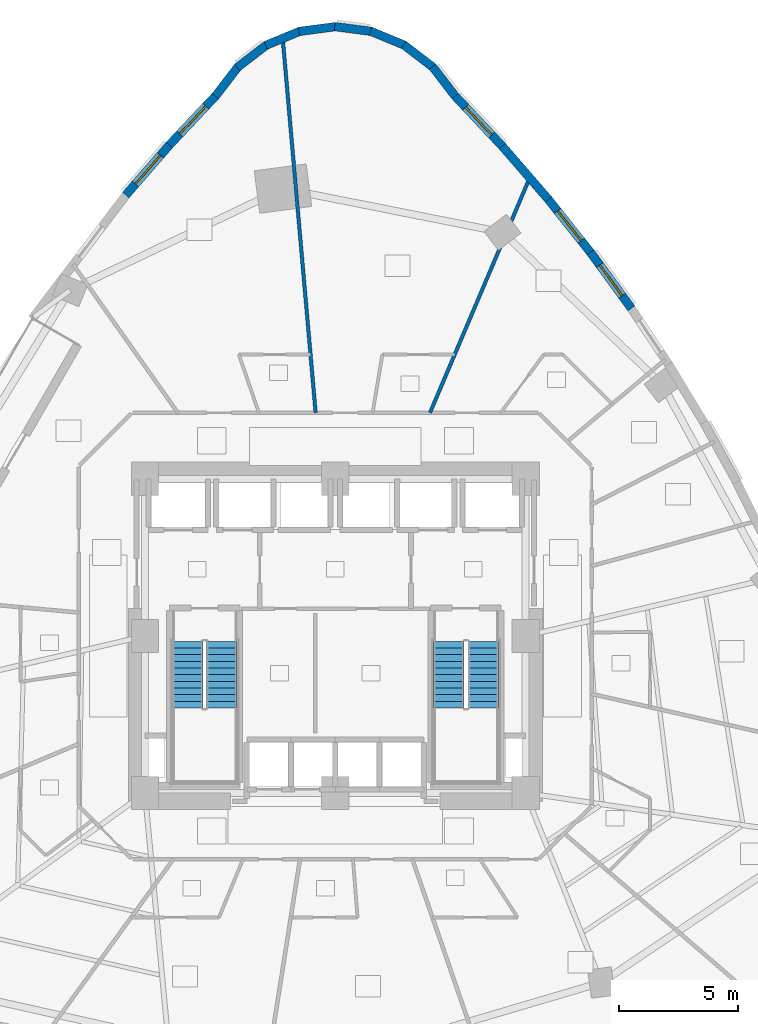
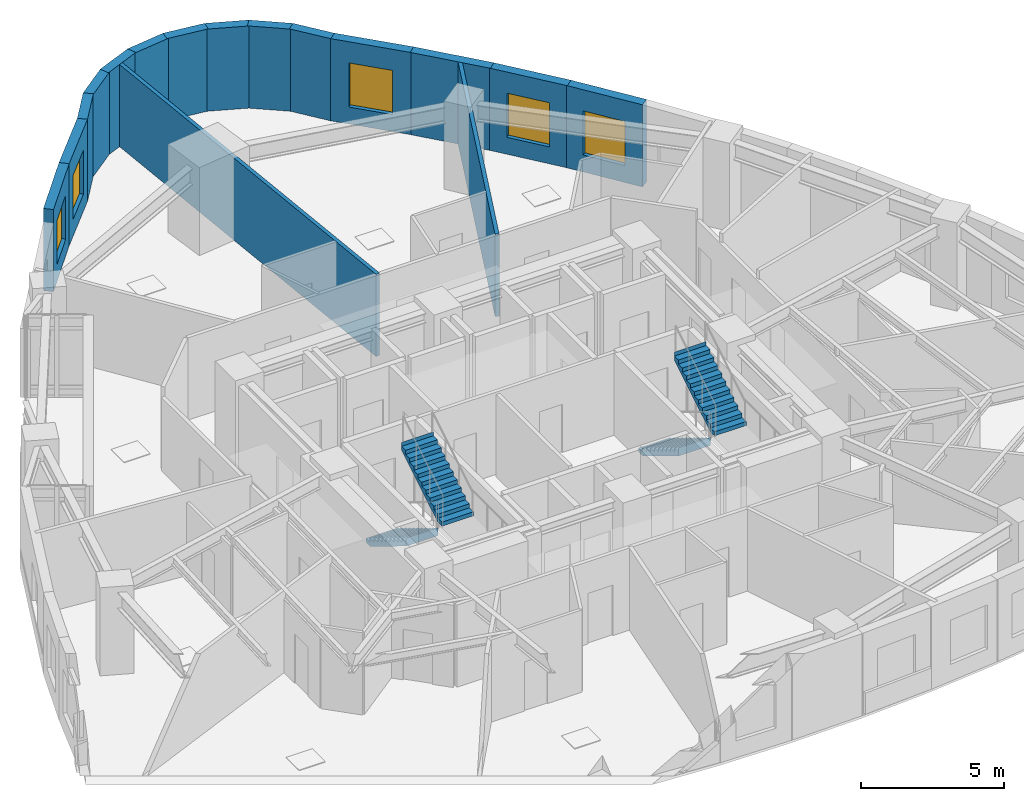
# One storey, part 9 of 12: 16 walls, 5 windows, 4 stair flights, 5 openings, 2 elements without a shape of their own.
"""IFC4 building model written with IfcOpenShell, lengths in metres."""

from ifc_helpers import new_model, si_unit, direction, frame, frame_2d, origin, place, context, subcontext, project, spatial, polyline, rectangle, outline, extrude, material, layer, layer_set, type_object, element, fill, aggregate, save


model = new_model("IFC4")

# Units and contexts
model_context = context("Model", 3, precision=1e-05, world=origin(), true_north=direction((0.0, 1.0)))
body_context = subcontext(model_context, "Body", "Model", "MODEL_VIEW")
ifc_project = project(units=[si_unit("LENGTHUNIT", "METRE"), si_unit("AREAUNIT", "SQUARE_METRE"), si_unit("VOLUMEUNIT", "CUBIC_METRE"), si_unit("PLANEANGLEUNIT", "RADIAN"), si_unit("MASSUNIT", "GRAM", prefix="KILO")], contexts=[model_context])

# Site, building, storey
site_placement = place(None, origin())
site = spatial("IfcSite", under=ifc_project, at=site_placement, CompositionType="ELEMENT")
building_placement = place(site_placement, origin())
building = spatial("IfcBuilding", under=site, at=building_placement, Name="Ndelora Gate Hotel", CompositionType="ELEMENT")
storey_placement = place(building_placement, frame((0.0, 0.0, 38.0)))
storey = spatial("IfcBuildingStorey", under=building, at=storey_placement, Name="L08", CompositionType="ELEMENT", Elevation=38.0)

# Walls
ifc_material_1 = material(Name="Clay Brick Masonry", Category="masonry")
ifc_layer_1 = layer(ifc_material_1, 0.360107421875)
ifc_layer_set_1 = layer_set([ifc_layer_1], Name="Clay Brick Masonry")
wall_type_1 = type_object("IfcWallType", Name="WL-BRICK-360", PredefinedType="SOLIDWALL", material=ifc_layer_set_1)
for number, where, z_axis, x_axis, name in (
    (1, (4.0859375, 23.928955078125, 0.0), (0.0, 0.0, 1.0), (0.608729688799, -0.793377694402, 0.0), "L08 Tower Brick Pier-and-Spandrel Wall TWR-1"),
    (2, (2.880126953125, 24.845947265625, 0.0), (0.0, 0.0, 1.0), (0.793377694402, -0.608729688799, 0.0), "L08 Tower Brick Pier-and-Spandrel Wall TWR-2"),
    (3, (1.47802734375, 25.419921875, 0.0), (0.0, 0.0, 1.0), (0.923864636245, -0.382719393153, 0.0), "L08 Tower Brick Pier-and-Spandrel Wall TWR-3"),
    (4, (-0.02490234375, 25.611083984375, 0.0), (0.0, 0.0, 1.0), (0.991450044922, -0.130486813217, 0.0), "L08 Tower Brick Pier-and-Spandrel Wall TWR-4"),
    (5, (-1.52587890625, 25.406982421875, 0.0), (0.0, 0.0, 1.0), (0.991450044922, 0.130486813217, 0.0), "L08 Tower Brick Pier-and-Spandrel Wall TWR-5"),
    (6, (-2.923095703125, 24.8212890625, 0.0), (0.0, 0.0, 1.0), (0.923864636245, 0.382719393153, 0.0), "L08 Tower Brick Pier-and-Spandrel Wall TWR-6"),
    (7, (-4.12109375, 23.893798828125, 0.0), (0.0, 0.0, 1.0), (0.793377694402, 0.608729688799, 0.0), "L08 Tower Brick Pier-and-Spandrel Wall TWR-7"),
    (8, (-5.0380859375, 22.68798828125, 0.0), (0.0, 0.0, 1.0), (0.608729688799, 0.793377694402, 0.0), "L08 Tower Brick Pier-and-Spandrel Wall TWR-8"),
):
    element("IfcWall", number, at=place(storey_placement, frame(where, z_axis=z_axis, x_axis=x_axis)), inside=storey, type_object=wall_type_1, Name=name, PredefinedType="SOLIDWALL", context=body_context, shape_type="SweptSolid", body=[
        extrude(rectangle(XDim=1.564208984375, YDim=0.360107421875, at=frame_2d((0.7822265625, 0.0))), origin(), (0.0, 0.0, 1.0), 3.5),
    ])

# Wall, opening, window
wall_1_placement = place(storey_placement, frame((-6.973388671875, 20.63671875, 0.0), z_axis=(0.0, 0.0, 1.0), x_axis=(0.685563685899, 0.728012659626, 0.0)))
wall_1 = element("IfcWall", 9, at=wall_1_placement, inside=storey, type_object=wall_type_1, Name="L08 Tower Brick Pier-and-Spandrel Wall TWR-9", PredefinedType="SOLIDWALL", context=body_context, shape_type="SweptSolid", body=[
    extrude(rectangle(XDim=2.869873046875, YDim=0.360107421875, at=frame_2d((1.43505859375, 0.0))), origin(), (0.0, 0.0, 1.0), 3.5),
])
opening_1_placement = place(wall_1_placement, frame((0.635009765625, 0.0, 0.719970703125)))
opening_1 = element("IfcOpeningElement", 10, at=opening_1_placement, cuts=wall_1, Name="Opening W03", PredefinedType="OPENING", context=body_context, shape_type="SweptSolid", body=[
    extrude(rectangle(XDim=1.60009765625, YDim=1.8798828125, at=frame_2d((0.800048828125, 0.93994140625))), frame((0.0, 0.18994140625, 0.0), z_axis=(0.0, -1.0, 0.0), x_axis=(1.0, 0.0, 0.0)), (0.0, 0.0, 1.0), 0.380126953125),
])
ifc_material_2 = material(Name="Insulated Low-E Double Glazing in Bronze Aluminium Frame", Category="aluminium")
window_type_1 = type_object("IfcWindowType", Name="WN-CORN-2100", PartitioningType="SINGLE_PANEL", PredefinedType="WINDOW", material=ifc_material_2)
window_1_placement = place(opening_1_placement, origin())
window_1 = element("IfcWindow", 11, at=window_1_placement, inside=storey, type_object=window_type_1, Name="L08 Deep-Set Brick-Pier Window W03", OverallHeight=1.8798828125, OverallWidth=1.60009765625, PartitioningType="SINGLE_PANEL", PredefinedType="WINDOW", context=body_context, shape_type="SweptSolid", body=[
    extrude(rectangle(XDim=1.60009765625, YDim=1.8798828125, at=frame_2d((0.800048828125, 0.93994140625))), frame((0.0, 0.030029296875, 0.0), z_axis=(0.0, -1.0, 0.0), x_axis=(1.0, 0.0, 0.0)), (0.0, 0.0, 1.0), 0.06005859375),
])
fill(opening_1, window_1)

wall_2_placement = place(storey_placement, frame((-8.808349609375, 18.5263671875, 0.0), z_axis=(0.0, 0.0, 1.0), x_axis=(0.656480194697, 0.754343260042, 0.0)))
wall_2 = element("IfcWall", 12, at=wall_2_placement, inside=storey, type_object=wall_type_1, Name="L08 Tower Brick Pier-and-Spandrel Wall TWR-10", PredefinedType="SOLIDWALL", context=body_context, shape_type="SweptSolid", body=[
    extrude(rectangle(XDim=2.846435546875, YDim=0.360107421875, at=frame_2d((1.42333984375, 0.0))), origin(), (0.0, 0.0, 1.0), 3.5),
])
opening_2_placement = place(wall_2_placement, frame((0.623291015625, 0.0, 0.719970703125)))
opening_2 = element("IfcOpeningElement", 13, at=opening_2_placement, cuts=wall_2, Name="Opening W01", PredefinedType="OPENING", context=body_context, shape_type="SweptSolid", body=[
    extrude(rectangle(XDim=1.60009765625, YDim=1.8798828125, at=frame_2d((0.800048828125, 0.93994140625))), frame((0.0, 0.18994140625, 0.0), z_axis=(0.0, -1.0, 0.0), x_axis=(1.0, 0.0, 0.0)), (0.0, 0.0, 1.0), 0.380126953125),
])
window_type_2 = type_object("IfcWindowType", Name="WN-DEEP-1600", PartitioningType="SINGLE_PANEL", PredefinedType="WINDOW", material=ifc_material_2)
window_2_placement = place(opening_2_placement, origin())
window_2 = element("IfcWindow", 14, at=window_2_placement, inside=storey, type_object=window_type_2, Name="L08 Deep-Set Brick-Pier Window W01", OverallHeight=1.8798828125, OverallWidth=1.60009765625, PartitioningType="SINGLE_PANEL", PredefinedType="WINDOW", context=body_context, shape_type="SweptSolid", body=[
    extrude(rectangle(XDim=1.60009765625, YDim=1.8798828125, at=frame_2d((0.800048828125, 0.93994140625))), frame((0.0, 0.030029296875, 0.0), z_axis=(0.0, -1.0, 0.0), x_axis=(1.0, 0.0, 0.0)), (0.0, 0.0, 1.0), 0.06005859375),
])
fill(opening_2, window_2)

wall_3_placement = place(storey_placement, frame((10.7255859375, 16.125, 0.0), z_axis=(0.0, 0.0, 1.0), x_axis=(0.589223239374, -0.807970280507, 0.0)))
wall_3 = element("IfcWall", 15, at=wall_3_placement, inside=storey, type_object=wall_type_1, Name="L08 Tower Brick Pier-and-Spandrel Wall TWR-55", PredefinedType="SOLIDWALL", context=body_context, shape_type="SweptSolid", body=[
    extrude(rectangle(XDim=2.92529296875, YDim=0.360107421875, at=frame_2d((1.462646484375, 0.0))), origin(), (0.0, 0.0, 1.0), 3.5),
])
opening_3_placement = place(wall_3_placement, frame((0.66259765625, 0.0, 0.719970703125)))
opening_3 = element("IfcOpeningElement", 16, at=opening_3_placement, cuts=wall_3, Name="Opening W01", PredefinedType="OPENING", context=body_context, shape_type="SweptSolid", body=[
    extrude(rectangle(XDim=1.60009765625, YDim=1.8798828125, at=frame_2d((0.800048828125, 0.93994140625))), frame((0.0, 0.18994140625, 0.0), z_axis=(0.0, -1.0, 0.0), x_axis=(1.0, 0.0, 0.0)), (0.0, 0.0, 1.0), 0.380126953125),
])
window_3_placement = place(opening_3_placement, origin())
window_3 = element("IfcWindow", 17, at=window_3_placement, inside=storey, type_object=window_type_2, Name="L08 Deep-Set Brick-Pier Window W01", OverallHeight=1.8798828125, OverallWidth=1.60009765625, PartitioningType="SINGLE_PANEL", PredefinedType="WINDOW", context=body_context, shape_type="SweptSolid", body=[
    extrude(rectangle(XDim=1.60009765625, YDim=1.8798828125, at=frame_2d((0.800048828125, 0.93994140625))), frame((0.0, 0.030029296875, 0.0), z_axis=(0.0, -1.0, 0.0), x_axis=(1.0, 0.0, 0.0)), (0.0, 0.0, 1.0), 0.06005859375),
])
fill(opening_3, window_3)

wall_4_placement = place(storey_placement, frame((8.9248046875, 18.38671875, 0.0), z_axis=(0.0, 0.0, 1.0), x_axis=(0.622637946995, -0.782510055502, 0.0)))
wall_4 = element("IfcWall", 18, at=wall_4_placement, inside=storey, type_object=wall_type_1, Name="L08 Tower Brick Pier-and-Spandrel Wall TWR-56", PredefinedType="SOLIDWALL", context=body_context, shape_type="SweptSolid", body=[
    extrude(rectangle(XDim=2.941162109375, YDim=0.360107421875, at=frame_2d((1.470703125, 0.0))), origin(), (0.0, 0.0, 1.0), 3.5),
])
opening_4_placement = place(wall_4_placement, frame((0.67041015625, 0.0, 0.719970703125)))
opening_4 = element("IfcOpeningElement", 19, at=opening_4_placement, cuts=wall_4, Name="Opening W01", PredefinedType="OPENING", context=body_context, shape_type="SweptSolid", body=[
    extrude(rectangle(XDim=1.60009765625, YDim=1.8798828125, at=frame_2d((0.800048828125, 0.93994140625))), frame((0.0, 0.18994140625, 0.0), z_axis=(0.0, -1.0, 0.0), x_axis=(1.0, 0.0, 0.0)), (0.0, 0.0, 1.0), 0.380126953125),
])
window_4_placement = place(opening_4_placement, origin())
window_4 = element("IfcWindow", 20, at=window_4_placement, inside=storey, type_object=window_type_2, Name="L08 Deep-Set Brick-Pier Window W01", OverallHeight=1.8798828125, OverallWidth=1.60009765625, PartitioningType="SINGLE_PANEL", PredefinedType="WINDOW", context=body_context, shape_type="SweptSolid", body=[
    extrude(rectangle(XDim=1.60009765625, YDim=1.8798828125, at=frame_2d((0.800048828125, 0.93994140625))), frame((0.0, 0.030029296875, 0.0), z_axis=(0.0, -1.0, 0.0), x_axis=(1.0, 0.0, 0.0)), (0.0, 0.0, 1.0), 0.06005859375),
])
fill(opening_4, window_4)

# Wall
wall_5_placement = place(storey_placement, frame((7.018310546875, 20.5869140625, 0.0), z_axis=(0.0, 0.0, 1.0), x_axis=(0.654585220283, -0.755988220402, 0.0)))
element("IfcWall", 21, at=wall_5_placement, inside=storey, type_object=wall_type_1, Name="L08 Tower Brick Pier-and-Spandrel Wall TWR-57", PredefinedType="SOLIDWALL", context=body_context, shape_type="SweptSolid", body=[
    extrude(rectangle(XDim=2.96142578125, YDim=0.360107421875, at=frame_2d((1.480712890625, 0.0))), origin(), (0.0, 0.0, 1.0), 3.5),
])

# Wall, opening, window
wall_6_placement = place(storey_placement, frame((5.005859375, 22.72607421875, 0.0), z_axis=(0.0, 0.0, 1.0), x_axis=(0.684946458387, -0.728593404542, 0.0)))
wall_6 = element("IfcWall", 22, at=wall_6_placement, inside=storey, type_object=wall_type_1, Name="L08 Tower Brick Pier-and-Spandrel Wall TWR-58", PredefinedType="SOLIDWALL", context=body_context, shape_type="SweptSolid", body=[
    extrude(rectangle(XDim=2.987060546875, YDim=0.360107421875, at=frame_2d((1.49365234375, 0.0))), origin(), (0.0, 0.0, 1.0), 3.5),
])
opening_5_placement = place(wall_6_placement, frame((0.693603515625, 0.0, 0.719970703125)))
opening_5 = element("IfcOpeningElement", 23, at=opening_5_placement, cuts=wall_6, Name="Opening W01", PredefinedType="OPENING", context=body_context, shape_type="SweptSolid", body=[
    extrude(rectangle(XDim=1.60009765625, YDim=1.8798828125, at=frame_2d((0.800048828125, 0.93994140625))), frame((0.0, 0.18994140625, 0.0), z_axis=(0.0, -1.0, 0.0), x_axis=(1.0, 0.0, 0.0)), (0.0, 0.0, 1.0), 0.380126953125),
])
window_5_placement = place(opening_5_placement, origin())
window_5 = element("IfcWindow", 24, at=window_5_placement, inside=storey, type_object=window_type_2, Name="L08 Deep-Set Brick-Pier Window W01", OverallHeight=1.8798828125, OverallWidth=1.60009765625, PartitioningType="SINGLE_PANEL", PredefinedType="WINDOW", context=body_context, shape_type="SweptSolid", body=[
    extrude(rectangle(XDim=1.60009765625, YDim=1.8798828125, at=frame_2d((0.800048828125, 0.93994140625))), frame((0.0, 0.030029296875, 0.0), z_axis=(0.0, -1.0, 0.0), x_axis=(1.0, 0.0, 0.0)), (0.0, 0.0, 1.0), 0.06005859375),
])
fill(opening_5, window_5)

# Walls
ifc_material_3 = material(Name="Fire-Rated Gypsum Stud Partition", Category="gypsum")
ifc_layer_2 = layer(ifc_material_3, 0.14990234375)
ifc_layer_set_2 = layer_set([ifc_layer_2], Name="Fire-Rated Gypsum Stud Partition")
wall_type_2 = type_object("IfcWallType", Name="WL-PART-150", PredefinedType="PARTITIONING", material=ifc_layer_set_2)
wall_7_placement = place(storey_placement, frame((3.98046875, 9.3798828125, 0.0), z_axis=(0.0, 0.0, 1.0), x_axis=(0.390626405148, 0.920549298843, 0.0)))
element("IfcWall", 25, at=wall_7_placement, inside=storey, type_object=wall_type_2, Name="L08 Interior Wall IW-5", PredefinedType="PARTITIONING", context=body_context, shape_type="SweptSolid", body=[
    extrude(rectangle(XDim=10.72802734375, YDim=0.14990234375, at=frame_2d((5.364013671875, 0.0))), origin(), (0.0, 0.0, 1.0), 3.5),
])
wall_8_placement = place(storey_placement, frame((-0.82568359375, 9.3798828125, 0.0), z_axis=(0.0, 0.0, 1.0), x_axis=(-0.087674603254, 0.996149167517, 0.0)))
element("IfcWall", 26, at=wall_8_placement, inside=storey, type_object=wall_type_2, Name="L08 Interior Wall IW-5", PredefinedType="PARTITIONING", context=body_context, shape_type="SweptSolid", body=[
    extrude(rectangle(XDim=15.797119140625, YDim=0.14990234375, at=frame_2d((7.8984375, 0.0))), origin(), (0.0, 0.0, 1.0), 3.5),
])

# Stair, stair flights
ifc_material_4 = material(Name="Precast concrete C40/50", Category="concrete")
stair_type = type_object("IfcStairType", Name="STR-DOG-CORE", PredefinedType="HALF_TURN_STAIR", material=ifc_material_4)
stair_1_placement = place(storey_placement, origin())
stair_1 = element("IfcStair", 27, at=stair_1_placement, inside=storey, type_object=stair_type, Name="L08 Protected Core Exit Stair ST4", PredefinedType="HALF_TURN_STAIR")
stair_flight_type = type_object("IfcStairFlightType", Name="STF-PRECAST", PredefinedType="STRAIGHT", material=ifc_material_4)
stair_flight_1_placement = place(storey_placement, frame((-6.2099609375, -0.22998046875, 0.0), z_axis=(0.0, 0.0, 1.0), x_axis=(0.0, -1.0, 0.0)))
stair_flight_1 = element("IfcStairFlight", 28, at=stair_flight_1_placement, type_object=stair_flight_type, Name="ST4 flight 1", NumberOfRisers=11, NumberOfTreads=10, PredefinedType="STRAIGHT", RiserHeight=0.170454545, TreadLength=0.28, context=body_context, shape_type="SweptSolid", body=[
    extrude(outline(polyline([(-0.00048828125, 0.0), (-0.00048828125, 0.17041015625), (0.0, 0.17041015625), (0.280029296875, 0.17041015625), (0.280029296875, 0.3408203125), (0.56005859375, 0.3408203125), (0.56005859375, 0.511474609375), (0.840087890625, 0.511474609375), (0.840087890625, 0.681884765625), (1.1201171875, 0.681884765625), (1.1201171875, 0.852294921875), (1.39990234375, 0.852294921875), (1.39990234375, 1.022705078125), (1.679931640625, 1.022705078125), (1.679931640625, 1.193115234375), (1.9599609375, 1.193115234375), (1.9599609375, 1.363525390625), (2.239990234375, 1.363525390625), (2.239990234375, 1.5341796875), (2.52001953125, 1.5341796875), (2.52001953125, 1.70458984375), (2.800048828125, 1.70458984375), (2.800048828125, 1.875), (2.800537109375, 1.875), (2.800537109375, 1.695068359375), (2.800048828125, 1.529052734375), (0.288330078125, 0.0), (-0.00048828125, 0.0)])), frame((0.0, 0.64013671875, 0.0), z_axis=(0.0, -1.0, 0.0), x_axis=(1.0, 0.0, 0.0)), (0.0, 0.0, 1.0), 1.280029296875),
])
stair_flight_2_placement = place(storey_placement, frame((-4.77001953125, -3.030029296875, 1.875), z_axis=(0.0, 0.0, 1.0), x_axis=(0.0, 1.0, 0.0)))
stair_flight_2 = element("IfcStairFlight", 29, at=stair_flight_2_placement, type_object=stair_flight_type, Name="ST4 flight 2", NumberOfRisers=11, NumberOfTreads=10, PredefinedType="STRAIGHT", RiserHeight=0.170454545, TreadLength=0.28, context=body_context, shape_type="SweptSolid", body=[
    extrude(outline(polyline([(-0.00048828125, 0.0), (-0.00048828125, 0.17041015625), (0.0, 0.17041015625), (0.280029296875, 0.17041015625), (0.280029296875, 0.3408203125), (0.56005859375, 0.3408203125), (0.56005859375, 0.511474609375), (0.840087890625, 0.511474609375), (0.840087890625, 0.681884765625), (1.1201171875, 0.681884765625), (1.1201171875, 0.852294921875), (1.39990234375, 0.852294921875), (1.39990234375, 1.022705078125), (1.679931640625, 1.022705078125), (1.679931640625, 1.193115234375), (1.9599609375, 1.193115234375), (1.9599609375, 1.363525390625), (2.239990234375, 1.363525390625), (2.239990234375, 1.5341796875), (2.52001953125, 1.5341796875), (2.52001953125, 1.70458984375), (2.800048828125, 1.70458984375), (2.800048828125, 1.875), (2.800537109375, 1.875), (2.800537109375, 1.695068359375), (2.800048828125, 1.529052734375), (0.288330078125, 0.0), (-0.00048828125, 0.0)])), frame((0.0, 0.64013671875, 0.0), z_axis=(0.0, -1.0, 0.0), x_axis=(1.0, 0.0, 0.0)), (0.0, 0.0, 1.0), 1.280029296875),
])
aggregate(stair_1, [stair_flight_1, stair_flight_2])

stair_2_placement = place(storey_placement, origin())
stair_2 = element("IfcStair", 30, at=stair_2_placement, inside=storey, type_object=stair_type, Name="L08 Protected Core Exit Stair ST5", PredefinedType="HALF_TURN_STAIR")
stair_flight_3_placement = place(storey_placement, frame((4.77001953125, -0.22998046875, 0.0), z_axis=(0.0, 0.0, 1.0), x_axis=(0.0, -1.0, 0.0)))
stair_flight_3 = element("IfcStairFlight", 31, at=stair_flight_3_placement, type_object=stair_flight_type, Name="ST5 flight 1", NumberOfRisers=11, NumberOfTreads=10, PredefinedType="STRAIGHT", RiserHeight=0.170454545, TreadLength=0.28, context=body_context, shape_type="SweptSolid", body=[
    extrude(outline(polyline([(-0.00048828125, 0.0), (-0.00048828125, 0.17041015625), (0.0, 0.17041015625), (0.280029296875, 0.17041015625), (0.280029296875, 0.3408203125), (0.56005859375, 0.3408203125), (0.56005859375, 0.511474609375), (0.840087890625, 0.511474609375), (0.840087890625, 0.681884765625), (1.1201171875, 0.681884765625), (1.1201171875, 0.852294921875), (1.39990234375, 0.852294921875), (1.39990234375, 1.022705078125), (1.679931640625, 1.022705078125), (1.679931640625, 1.193115234375), (1.9599609375, 1.193115234375), (1.9599609375, 1.363525390625), (2.239990234375, 1.363525390625), (2.239990234375, 1.5341796875), (2.52001953125, 1.5341796875), (2.52001953125, 1.70458984375), (2.800048828125, 1.70458984375), (2.800048828125, 1.875), (2.800537109375, 1.875), (2.800537109375, 1.695068359375), (2.800048828125, 1.529052734375), (0.288330078125, 0.0), (-0.00048828125, 0.0)])), frame((0.0, 0.64013671875, 0.0), z_axis=(0.0, -1.0, 0.0), x_axis=(1.0, 0.0, 0.0)), (0.0, 0.0, 1.0), 1.280029296875),
])
stair_flight_4_placement = place(storey_placement, frame((6.2099609375, -3.030029296875, 1.875), z_axis=(0.0, 0.0, 1.0), x_axis=(0.0, 1.0, 0.0)))
stair_flight_4 = element("IfcStairFlight", 32, at=stair_flight_4_placement, type_object=stair_flight_type, Name="ST5 flight 2", NumberOfRisers=11, NumberOfTreads=10, PredefinedType="STRAIGHT", RiserHeight=0.170454545, TreadLength=0.28, context=body_context, shape_type="SweptSolid", body=[
    extrude(outline(polyline([(-0.00048828125, 0.0), (-0.00048828125, 0.17041015625), (0.0, 0.17041015625), (0.280029296875, 0.17041015625), (0.280029296875, 0.3408203125), (0.56005859375, 0.3408203125), (0.56005859375, 0.511474609375), (0.840087890625, 0.511474609375), (0.840087890625, 0.681884765625), (1.1201171875, 0.681884765625), (1.1201171875, 0.852294921875), (1.39990234375, 0.852294921875), (1.39990234375, 1.022705078125), (1.679931640625, 1.022705078125), (1.679931640625, 1.193115234375), (1.9599609375, 1.193115234375), (1.9599609375, 1.363525390625), (2.239990234375, 1.363525390625), (2.239990234375, 1.5341796875), (2.52001953125, 1.5341796875), (2.52001953125, 1.70458984375), (2.800048828125, 1.70458984375), (2.800048828125, 1.875), (2.800537109375, 1.875), (2.800537109375, 1.695068359375), (2.800048828125, 1.529052734375), (0.288330078125, 0.0), (-0.00048828125, 0.0)])), frame((0.0, 0.64013671875, 0.0), z_axis=(0.0, -1.0, 0.0), x_axis=(1.0, 0.0, 0.0)), (0.0, 0.0, 1.0), 1.280029296875),
])
aggregate(stair_2, [stair_flight_3, stair_flight_4])

save(model, "model.ifc")
